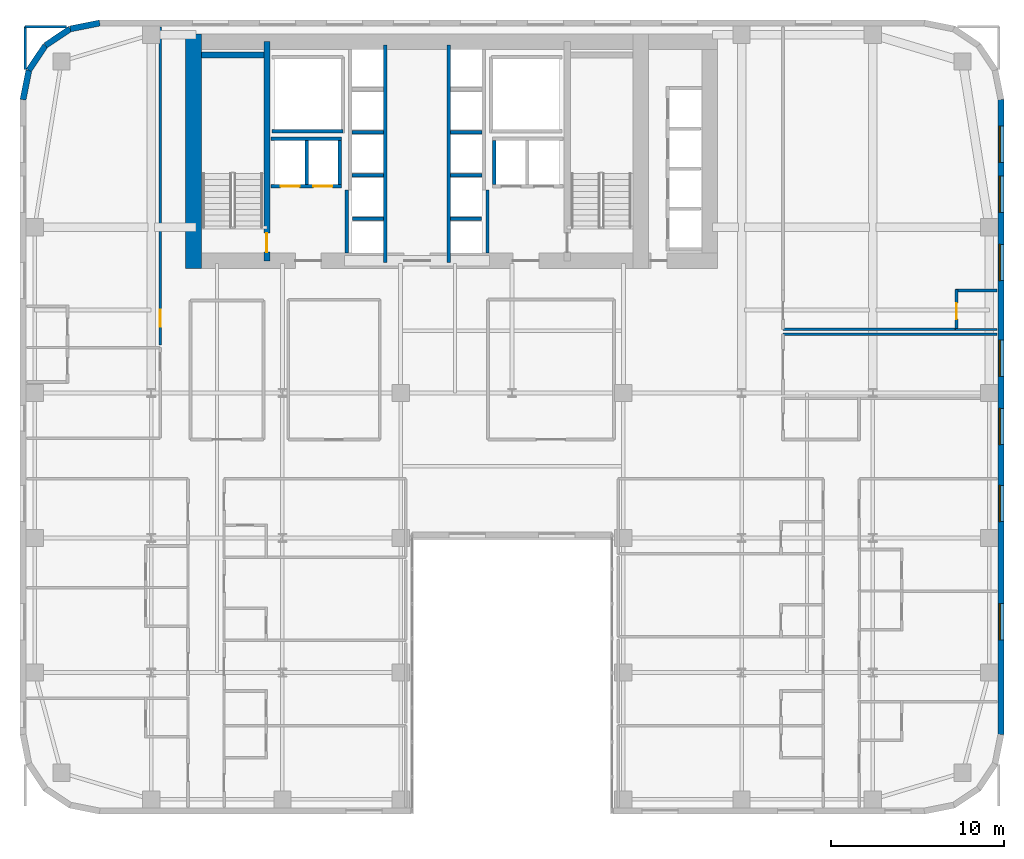
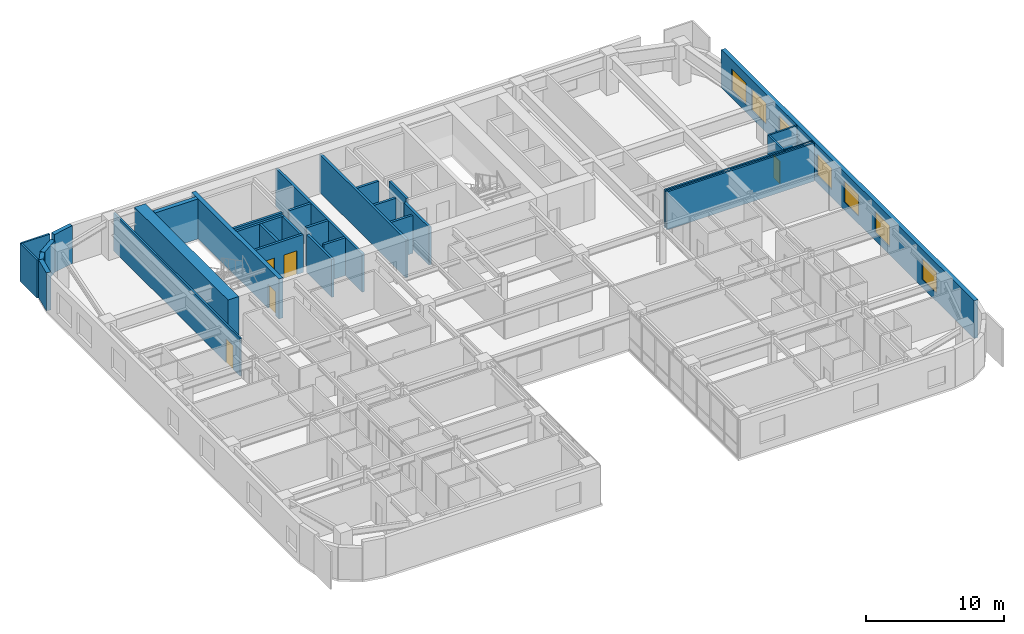
# One storey, part 14 of 17: 32 walls, 7 windows, 5 doors, 12 openings.
"""IFC4 building model written with IfcOpenShell, lengths in metres."""

from ifc_helpers import new_model, si_unit, direction, frame, frame_2d, origin, place, context, subcontext, project, spatial, rectangle, extrude, source, transform, mapped, material, layer, layer_set, type_object, type_shapes, element, fill, save


model = new_model("IFC4")

# Units and contexts
model_context = context("Model", 3, precision=1e-05, world=origin(), true_north=direction((0.0, 1.0)))
body_context = subcontext(model_context, "Body", "Model", "MODEL_VIEW")
ifc_project = project(units=[si_unit("LENGTHUNIT", "METRE"), si_unit("AREAUNIT", "SQUARE_METRE"), si_unit("VOLUMEUNIT", "CUBIC_METRE"), si_unit("PLANEANGLEUNIT", "RADIAN"), si_unit("MASSUNIT", "GRAM", prefix="KILO")], contexts=[model_context])

# Site, building, storey
site_placement = place(None, origin())
site = spatial("IfcSite", under=ifc_project, at=site_placement, CompositionType="ELEMENT")
building_placement = place(site_placement, origin())
building = spatial("IfcBuilding", under=site, at=building_placement, Name="Tolvann Quenvar Hotel", CompositionType="ELEMENT")
storey_placement = place(building_placement, frame((0.0, 0.0, 42.64990234375)))
storey = spatial("IfcBuildingStorey", under=building, at=storey_placement, Name="L09", CompositionType="ELEMENT", Elevation=42.64990234375)

# Wall
ifc_material_1 = material(Name="Concrete S80 (80 MPa)", Category="concrete")
ifc_layer_1 = layer(ifc_material_1, 0.89990234375)
ifc_layer_set_1 = layer_set([ifc_layer_1], Name="Concrete S80 (80 MPa)")
wall_type_1 = type_object("IfcWallType", Name="WALL_CORE_900", PredefinedType="SHEAR", material=ifc_layer_set_1)
wall_1_placement = place(storey_placement, frame((10.050048828125, 31.60009765625, 0.0), z_axis=(0.0, 0.0, 1.0), x_axis=(0.0, 1.0, 0.0)))
element("IfcWall", 1, at=wall_1_placement, inside=storey, type_object=wall_type_1, Name="Rear Core W Shear Wall (L09)", PredefinedType="SHEAR", context=body_context, shape_type="SweptSolid", body=[
    extrude(rectangle(XDim=13.599853515625, YDim=0.89990234375, at=frame_2d((6.7998046875, 0.0))), origin(), (0.0, 0.0, 1.0), 3.550048828125),
])

# Wall, opening, door
ifc_material_2 = material(Name="Concrete S65 (65 MPa)", Category="concrete")
ifc_layer_2 = layer(ifc_material_2, 0.35009765625)
ifc_layer_set_2 = layer_set([ifc_layer_2], Name="Concrete S65 (65 MPa)")
wall_type_2 = type_object("IfcWallType", Name="WALL_CORE_INT_350", PredefinedType="SHEAR", material=ifc_layer_set_2)
wall_2_placement = place(storey_placement, frame((14.300048828125, 32.050048828125, 0.0), z_axis=(0.0, 0.0, 1.0), x_axis=(0.0, 1.0, 0.0)))
wall_2 = element("IfcWall", 2, at=wall_2_placement, inside=storey, type_object=wall_type_2, Name="Core Internal Web Shear Wall WEB-W (L09)", PredefinedType="SHEAR", context=body_context, shape_type="SweptSolid", body=[
    extrude(rectangle(XDim=12.699951171875, YDim=0.35009765625, at=frame_2d((6.35009765625, 0.0))), origin(), (0.0, 0.0, 1.0), 3.550048828125),
])
opening_1_placement = place(wall_2_placement, frame((0.5, 0.0, 0.0)))
opening_1 = element("IfcOpeningElement", 3, at=opening_1_placement, cuts=wall_2, Name="Opening FD-120", PredefinedType="OPENING", context=body_context, shape_type="SweptSolid", body=[
    extrude(rectangle(XDim=1.10009765625, YDim=2.1201171875, at=frame_2d((0.550048828125, 1.06005859375))), frame((0.0, 0.18505859375, 0.0), z_axis=(0.0, -1.0, 0.0), x_axis=(1.0, 0.0, 0.0)), (0.0, 0.0, 1.0), 0.3701171875),
])
ifc_material_3 = material(Name="Pressed galvanised steel fire-rated door set", Category="steel")
door_type_1 = type_object("IfcDoorType", Name="DOOR_FIRE_STAIR_1100", OperationType="NOTDEFINED", PredefinedType="DOOR", material=ifc_material_3)
shared_shape_1 = source(origin(), body_context, "Body", "SweptSolid", [
    extrude(rectangle(XDim=1.10009765625, YDim=2.1201171875, at=frame_2d((0.550048828125, 1.06005859375))), frame((0.0, 0.02490234375, 0.0), z_axis=(0.0, -1.0, 0.0), x_axis=(1.0, 0.0, 0.0)), (0.0, 0.0, 1.0), 0.050048828125),
])
type_shapes(door_type_1, [shared_shape_1])
door_1_placement = place(opening_1_placement, origin())
door_1 = element("IfcDoor", 4, at=door_1_placement, inside=storey, type_object=door_type_1, Name="Exit Stair ST-C1 Fire Door (L09)", OperationType="SINGLE_SWING_RIGHT", OverallHeight=2.1201171875, OverallWidth=1.10009765625, PredefinedType="DOOR", context=body_context, shape_type="MappedRepresentation", body=[
    mapped(shared_shape_1, transform((0.0, 0.0, 0.0), x_axis=(1.0, 0.0, 0.0), y_axis=(0.0, 1.0, 0.0), z_axis=(0.0, 0.0, 1.0), scale=1.0)),
])
fill(opening_1, door_1)

# Wall
wall_3_placement = place(storey_placement, frame((10.52001953125, 43.97509765625, 0.0), z_axis=(0.0, 0.0, 1.0), x_axis=(1.0, 0.0, 0.0)))
element("IfcWall", 5, at=wall_3_placement, inside=storey, type_object=wall_type_2, Name="Core Stair North Closing Shear Wall STC1-N (L09)", PredefinedType="SHEAR", context=body_context, shape_type="SweptSolid", body=[
    extrude(rectangle(XDim=3.60009765625, YDim=0.35009765625, at=frame_2d((1.800048828125, 0.0))), origin(), (0.0, 0.0, 1.0), 3.550048828125),
])

# Wall, openings, windows
ifc_material_4 = material(Name="Kiln-fired red and buff architectural clay brickwork and terracotta masonry", Category="masonry")
ifc_layer_3 = layer(ifc_material_4, 0.35009765625)
ifc_layer_set_3 = layer_set([ifc_layer_3], Name="Kiln-fired red and buff architectural clay brickwork and terracotta masonry")
wall_type_3 = type_object("IfcWallType", Name="WALL_EXT_BRICK_350", PredefinedType="SOLIDWALL", material=ifc_layer_set_3)
wall_4_placement = place(storey_placement, frame((56.824951171875, 4.6171875, 0.0), z_axis=(0.0, 0.0, 1.0), x_axis=(0.0, 1.0, 0.0)))
wall_4 = element("IfcWall", 6, at=wall_4_placement, inside=storey, type_object=wall_type_3, Name="Exterior Chicago Brick Wall L09-E13", PredefinedType="SOLIDWALL", context=body_context, shape_type="SweptSolid", body=[
    extrude(rectangle(XDim=36.765625, YDim=0.35009765625, at=frame_2d((18.3828125, 0.0))), origin(), (0.0, 0.0, 1.0), 3.3701171875),
])
opening_2_placement = place(wall_4_placement, frame((5.47802734375, 0.0, 0.679931640625)))
opening_2 = element("IfcOpeningElement", 7, at=opening_2_placement, cuts=wall_4, Name="Opening W-02", PredefinedType="OPENING", context=body_context, shape_type="SweptSolid", body=[
    extrude(rectangle(XDim=2.10009765625, YDim=1.89990234375, at=frame_2d((1.050048828125, 0.949951171875))), frame((0.0, 0.18505859375, 0.0), z_axis=(0.0, -1.0, 0.0), x_axis=(1.0, 0.0, 0.0)), (0.0, 0.0, 1.0), 0.3701171875),
])
opening_3_placement = place(wall_4_placement, frame((12.3310546875, 0.0, 0.679931640625)))
opening_3 = element("IfcOpeningElement", 8, at=opening_3_placement, cuts=wall_4, Name="Opening W-02", PredefinedType="OPENING", context=body_context, shape_type="SweptSolid", body=[
    extrude(rectangle(XDim=2.10009765625, YDim=1.89990234375, at=frame_2d((1.050048828125, 0.949951171875))), frame((0.0, 0.18505859375, 0.0), z_axis=(0.0, -1.0, 0.0), x_axis=(1.0, 0.0, 0.0)), (0.0, 0.0, 1.0), 0.3701171875),
])
opening_4_placement = place(wall_4_placement, frame((16.782958984375, 0.0, 0.679931640625)))
opening_4 = element("IfcOpeningElement", 9, at=opening_4_placement, cuts=wall_4, Name="Opening W-02", PredefinedType="OPENING", context=body_context, shape_type="SweptSolid", body=[
    extrude(rectangle(XDim=2.10009765625, YDim=1.89990234375, at=frame_2d((1.050048828125, 0.949951171875))), frame((0.0, 0.18505859375, 0.0), z_axis=(0.0, -1.0, 0.0), x_axis=(1.0, 0.0, 0.0)), (0.0, 0.0, 1.0), 0.3701171875),
])
opening_5_placement = place(wall_4_placement, frame((20.735107421875, 0.0, 0.679931640625)))
opening_5 = element("IfcOpeningElement", 10, at=opening_5_placement, cuts=wall_4, Name="Opening W-02", PredefinedType="OPENING", context=body_context, shape_type="SweptSolid", body=[
    extrude(rectangle(XDim=2.10009765625, YDim=1.89990234375, at=frame_2d((1.050048828125, 0.949951171875))), frame((0.0, 0.18505859375, 0.0), z_axis=(0.0, -1.0, 0.0), x_axis=(1.0, 0.0, 0.0)), (0.0, 0.0, 1.0), 0.3701171875),
])
opening_6_placement = place(wall_4_placement, frame((26.285888671875, 0.0, 0.679931640625)))
opening_6 = element("IfcOpeningElement", 11, at=opening_6_placement, cuts=wall_4, Name="Opening W-02", PredefinedType="OPENING", context=body_context, shape_type="SweptSolid", body=[
    extrude(rectangle(XDim=2.10009765625, YDim=1.89990234375, at=frame_2d((1.050048828125, 0.949951171875))), frame((0.0, 0.18505859375, 0.0), z_axis=(0.0, -1.0, 0.0), x_axis=(1.0, 0.0, 0.0)), (0.0, 0.0, 1.0), 0.3701171875),
])
opening_7_placement = place(wall_4_placement, frame((30.238037109375, 0.0, 0.679931640625)))
opening_7 = element("IfcOpeningElement", 12, at=opening_7_placement, cuts=wall_4, Name="Opening W-02", PredefinedType="OPENING", context=body_context, shape_type="SweptSolid", body=[
    extrude(rectangle(XDim=2.10009765625, YDim=1.89990234375, at=frame_2d((1.050048828125, 0.949951171875))), frame((0.0, 0.18505859375, 0.0), z_axis=(0.0, -1.0, 0.0), x_axis=(1.0, 0.0, 0.0)), (0.0, 0.0, 1.0), 0.3701171875),
])
opening_8_placement = place(wall_4_placement, frame((33.139892578125, 0.0, 0.679931640625)))
opening_8 = element("IfcOpeningElement", 13, at=opening_8_placement, cuts=wall_4, Name="Opening W-02", PredefinedType="OPENING", context=body_context, shape_type="SweptSolid", body=[
    extrude(rectangle(XDim=2.10009765625, YDim=1.89990234375, at=frame_2d((1.050048828125, 0.949951171875))), frame((0.0, 0.18505859375, 0.0), z_axis=(0.0, -1.0, 0.0), x_axis=(1.0, 0.0, 0.0)), (0.0, 0.0, 1.0), 0.3701171875),
])
ifc_material_5 = material(Name="Thermally broken bronze-anodised aluminium frame with double low-E glazing", Category="aluminium")
window_type = type_object("IfcWindowType", Name="WIN_CHI_2100x2050", PartitioningType="TRIPLE_PANEL_HORIZONTAL", PredefinedType="WINDOW", material=ifc_material_5)
shared_shape_2 = source(origin(), body_context, "Body", "SweptSolid", [
    extrude(rectangle(XDim=2.10009765625, YDim=1.89990234375, at=frame_2d((1.050048828125, 0.949951171875))), frame((0.0, 0.090087890625, 0.0), z_axis=(0.0, -1.0, 0.0), x_axis=(1.0, 0.0, 0.0)), (0.0, 0.0, 1.0), 0.06005859375),
])
type_shapes(window_type, [shared_shape_2])
window_1_placement = place(opening_2_placement, origin())
window_1 = element("IfcWindow", 14, at=window_1_placement, inside=storey, type_object=window_type, Name="Chicago Window W-02 (EW-L09-E13-W01)", OverallHeight=1.89990234375, OverallWidth=2.10009765625, PartitioningType="TRIPLE_PANEL_HORIZONTAL", PredefinedType="WINDOW", context=body_context, shape_type="MappedRepresentation", body=[
    mapped(shared_shape_2, transform((0.0, 0.0, 0.0), x_axis=(1.0, 0.0, 0.0), y_axis=(0.0, 1.0, 0.0), z_axis=(0.0, 0.0, 1.0), scale=1.0)),
])
fill(opening_2, window_1)
window_2_placement = place(opening_3_placement, origin())
window_2 = element("IfcWindow", 15, at=window_2_placement, inside=storey, type_object=window_type, Name="Chicago Window W-02 (EW-L09-E13-W02)", OverallHeight=1.89990234375, OverallWidth=2.10009765625, PartitioningType="TRIPLE_PANEL_HORIZONTAL", PredefinedType="WINDOW", context=body_context, shape_type="MappedRepresentation", body=[
    mapped(shared_shape_2, transform((0.0, 0.0, 0.0), x_axis=(1.0, 0.0, 0.0), y_axis=(0.0, 1.0, 0.0), z_axis=(0.0, 0.0, 1.0), scale=1.0)),
])
fill(opening_3, window_2)
window_3_placement = place(opening_4_placement, origin())
window_3 = element("IfcWindow", 16, at=window_3_placement, inside=storey, type_object=window_type, Name="Chicago Window W-02 (EW-L09-E13-W03)", OverallHeight=1.89990234375, OverallWidth=2.10009765625, PartitioningType="TRIPLE_PANEL_HORIZONTAL", PredefinedType="WINDOW", context=body_context, shape_type="MappedRepresentation", body=[
    mapped(shared_shape_2, transform((0.0, 0.0, 0.0), x_axis=(1.0, 0.0, 0.0), y_axis=(0.0, 1.0, 0.0), z_axis=(0.0, 0.0, 1.0), scale=1.0)),
])
fill(opening_4, window_3)
window_4_placement = place(opening_5_placement, origin())
window_4 = element("IfcWindow", 17, at=window_4_placement, inside=storey, type_object=window_type, Name="Chicago Window W-02 (EW-L09-E13-W04)", OverallHeight=1.89990234375, OverallWidth=2.10009765625, PartitioningType="TRIPLE_PANEL_HORIZONTAL", PredefinedType="WINDOW", context=body_context, shape_type="MappedRepresentation", body=[
    mapped(shared_shape_2, transform((0.0, 0.0, 0.0), x_axis=(1.0, 0.0, 0.0), y_axis=(0.0, 1.0, 0.0), z_axis=(0.0, 0.0, 1.0), scale=1.0)),
])
fill(opening_5, window_4)
window_5_placement = place(opening_6_placement, origin())
window_5 = element("IfcWindow", 18, at=window_5_placement, inside=storey, type_object=window_type, Name="Chicago Window W-02 (EW-L09-E13-W05)", OverallHeight=1.89990234375, OverallWidth=2.10009765625, PartitioningType="TRIPLE_PANEL_HORIZONTAL", PredefinedType="WINDOW", context=body_context, shape_type="MappedRepresentation", body=[
    mapped(shared_shape_2, transform((0.0, 0.0, 0.0), x_axis=(1.0, 0.0, 0.0), y_axis=(0.0, 1.0, 0.0), z_axis=(0.0, 0.0, 1.0), scale=1.0)),
])
fill(opening_6, window_5)
window_6_placement = place(opening_7_placement, origin())
window_6 = element("IfcWindow", 19, at=window_6_placement, inside=storey, type_object=window_type, Name="Chicago Window W-02 (EW-L09-E13-W06)", OverallHeight=1.89990234375, OverallWidth=2.10009765625, PartitioningType="TRIPLE_PANEL_HORIZONTAL", PredefinedType="WINDOW", context=body_context, shape_type="MappedRepresentation", body=[
    mapped(shared_shape_2, transform((0.0, 0.0, 0.0), x_axis=(1.0, 0.0, 0.0), y_axis=(0.0, 1.0, 0.0), z_axis=(0.0, 0.0, 1.0), scale=1.0)),
])
fill(opening_7, window_6)
window_7_placement = place(opening_8_placement, origin())
window_7 = element("IfcWindow", 20, at=window_7_placement, inside=storey, type_object=window_type, Name="Chicago Window W-02 (EW-L09-E13-W07)", OverallHeight=1.89990234375, OverallWidth=2.10009765625, PartitioningType="TRIPLE_PANEL_HORIZONTAL", PredefinedType="WINDOW", context=body_context, shape_type="MappedRepresentation", body=[
    mapped(shared_shape_2, transform((0.0, 0.0, 0.0), x_axis=(1.0, 0.0, 0.0), y_axis=(0.0, 1.0, 0.0), z_axis=(0.0, 0.0, 1.0), scale=1.0)),
])
fill(opening_8, window_7)

# Walls
wall_5_placement = place(storey_placement, frame((4.6171875, 45.824951171875, 0.0), z_axis=(0.0, 0.0, 1.0), x_axis=(-0.980800971659, -0.195011420161, 0.0)))
element("IfcWall", 21, at=wall_5_placement, inside=storey, type_object=wall_type_3, Name="Exterior Chicago Brick Wall L09-E19", PredefinedType="SOLIDWALL", context=body_context, shape_type="SweptSolid", body=[
    extrude(rectangle(XDim=1.74267578125, YDim=0.35009765625, at=frame_2d((0.871337890625, 0.0))), origin(), (0.0, 0.0, 1.0), 3.3701171875),
])
for number, where, z_axis, x_axis, name in (
    (22, (2.907958984375, 45.485107421875, 0.0), (0.0, 0.0, 1.0), (-0.831483840845, -0.55554893791, 0.0), "Exterior Chicago Brick Wall L09-E20"),
    (23, (1.473388671875, 44.526611328125, 0.0), (0.0, 0.0, 1.0), (-0.55554893791, -0.831483840845, 0.0), "Exterior Chicago Brick Wall L09-E21"),
):
    element("IfcWall", number, at=place(storey_placement, frame(where, z_axis=z_axis, x_axis=x_axis)), inside=storey, type_object=wall_type_3, Name=name, PredefinedType="SOLIDWALL", context=body_context, shape_type="SweptSolid", body=[
        extrude(rectangle(XDim=1.725341796875, YDim=0.35009765625, at=frame_2d((0.86279296875, 0.0))), origin(), (0.0, 0.0, 1.0), 2.83203125),
    ])
wall_6_placement = place(storey_placement, frame((0.514892578125, 43.092041015625, 0.0), z_axis=(0.0, 0.0, 1.0), x_axis=(-0.195011420161, -0.980800971659, 0.0)))
element("IfcWall", 24, at=wall_6_placement, inside=storey, type_object=wall_type_3, Name="Exterior Chicago Brick Wall L09-E22", PredefinedType="SOLIDWALL", context=body_context, shape_type="SweptSolid", body=[
    extrude(rectangle(XDim=1.74267578125, YDim=0.35009765625, at=frame_2d((0.871337890625, 0.0))), origin(), (0.0, 0.0, 1.0), 3.3701171875),
])
ifc_material_6 = material(Name="Moisture-resistant acoustic plumbing wall assembly")
ifc_layer_4 = layer(ifc_material_6, 0.1201171875)
ifc_layer_set_4 = layer_set([ifc_layer_4], Name="Moisture-resistant acoustic plumbing wall assembly")
wall_type_4 = type_object("IfcWallType", Name="WALL_PART_BATH_120", PredefinedType="PLUMBINGWALL", material=ifc_layer_set_4)
wall_7_placement = place(storey_placement, frame((54.179931640625, 28.080078125, 0.0), z_axis=(0.0, 0.0, 1.0), x_axis=(1.0, 0.0, 0.0)))
element("IfcWall", 25, at=wall_7_placement, inside=storey, type_object=wall_type_4, Name="Non-Rated Plumbing Partition PT-SPC-L09-ENS-NE01-S", PredefinedType="PLUMBINGWALL", context=body_context, shape_type="SweptSolid", body=[
    extrude(rectangle(XDim=2.4150390625, YDim=0.1201171875, at=frame_2d((1.20751953125, 0.0))), origin(), (0.0, 0.0, 1.0), 3.3701171875),
])

# Wall, opening, door
ifc_material_7 = material(Name="Acoustic twin-stud fire-rated gypsum plasterboard partition")
ifc_layer_5 = layer(ifc_material_7, 0.14990234375)
ifc_layer_set_5 = layer_set([ifc_layer_5], Name="Acoustic twin-stud fire-rated gypsum plasterboard partition")
wall_type_5 = type_object("IfcWallType", Name="WALL_PART_SUITE_150", PredefinedType="PARTITIONING", material=ifc_layer_set_5)
wall_8_placement = place(storey_placement, frame((54.25, 28.010009765625, 0.0), z_axis=(0.0, 0.0, 1.0), x_axis=(0.0, 1.0, 0.0)))
wall_8 = element("IfcWall", 26, at=wall_8_placement, inside=storey, type_object=wall_type_5, Name="Interior Partition PT-SPC-L09-ENS-NE01-ENT", PredefinedType="PARTITIONING", context=body_context, shape_type="SweptSolid", body=[
    extrude(rectangle(XDim=2.389892578125, YDim=0.14990234375, at=frame_2d((1.19482421875, 0.0))), origin(), (0.0, 0.0, 1.0), 3.3701171875),
])
opening_9_placement = place(wall_8_placement, frame((0.6650390625, 0.0, 0.0)))
opening_9 = element("IfcOpeningElement", 27, at=opening_9_placement, cuts=wall_8, Name="Opening WD-01", PredefinedType="OPENING", context=body_context, shape_type="SweptSolid", body=[
    extrude(rectangle(XDim=0.919921875, YDim=2.010009765625, at=frame_2d((0.4599609375, 1.0048828125))), frame((0.0, 0.0849609375, 0.0), z_axis=(0.0, -1.0, 0.0), x_axis=(1.0, 0.0, 0.0)), (0.0, 0.0, 1.0), 0.169921875),
])
ifc_material_8 = material(Name="Solid-core American oak acoustic fire door leaf in steel frame", Category="steel")
door_type_2 = type_object("IfcDoorType", Name="DOOR_WC_920", OperationType="NOTDEFINED", PredefinedType="DOOR", material=ifc_material_8)
shared_shape_3 = source(origin(), body_context, "Body", "SweptSolid", [
    extrude(rectangle(XDim=0.919921875, YDim=2.010009765625, at=frame_2d((0.4599609375, 1.0048828125))), frame((0.0, 0.02490234375, 0.0), z_axis=(0.0, -1.0, 0.0), x_axis=(1.0, 0.0, 0.0)), (0.0, 0.0, 1.0), 0.050048828125),
])
type_shapes(door_type_2, [shared_shape_3])
door_2_placement = place(opening_9_placement, origin())
door_2 = element("IfcDoor", 28, at=door_2_placement, inside=storey, type_object=door_type_2, Name="Interior Door DOOR-SPC-L09-ENS-NE01", OperationType="SINGLE_SWING_RIGHT", OverallHeight=2.010009765625, OverallWidth=0.919921875, PredefinedType="DOOR", context=body_context, shape_type="MappedRepresentation", body=[
    mapped(shared_shape_3, transform((0.0, 0.0, 0.0), x_axis=(1.0, 0.0, 0.0), y_axis=(0.0, 1.0, 0.0), z_axis=(0.0, 0.0, 1.0), scale=1.0)),
])
fill(opening_9, door_2)

# Wall
wall_9_placement = place(storey_placement, frame((54.179931640625, 30.330078125, 0.0), z_axis=(0.0, 0.0, 1.0), x_axis=(1.0, 0.0, 0.0)))
element("IfcWall", 29, at=wall_9_placement, inside=storey, type_object=wall_type_5, Name="Interior Partition PT-SPC-L09-ENS-NE01-N", PredefinedType="PARTITIONING", context=body_context, shape_type="SweptSolid", body=[
    extrude(rectangle(XDim=2.4150390625, YDim=0.14990234375, at=frame_2d((1.20751953125, 0.0))), origin(), (0.0, 0.0, 1.0), 3.3701171875),
])

# Wall, opening, door
wall_10_placement = place(storey_placement, frame((8.1201171875, 27.179931640625, 0.0), z_axis=(0.0, 0.0, 1.0), x_axis=(0.0, 1.0, 0.0)))
wall_10 = element("IfcWall", 30, at=wall_10_placement, inside=storey, type_object=wall_type_5, Name="Interior Partition PT-SPC-L09-RM-NW02-ENT", PredefinedType="PARTITIONING", context=body_context, shape_type="SweptSolid", body=[
    extrude(rectangle(XDim=18.4150390625, YDim=0.14990234375, at=frame_2d((9.20751953125, 0.0))), origin(), (0.0, 0.0, 1.0), 3.3701171875),
])
opening_10_placement = place(wall_10_placement, frame((1.044921875, 0.0, 0.0)))
opening_10 = element("IfcOpeningElement", 31, at=opening_10_placement, cuts=wall_10, Name="Opening SD-01", PredefinedType="OPENING", context=body_context, shape_type="SweptSolid", body=[
    extrude(rectangle(XDim=0.97998046875, YDim=2.1201171875, at=frame_2d((0.489990234375, 1.06005859375))), frame((0.0, 0.0849609375, 0.0), z_axis=(0.0, -1.0, 0.0), x_axis=(1.0, 0.0, 0.0)), (0.0, 0.0, 1.0), 0.169921875),
])
door_type_3 = type_object("IfcDoorType", Name="DOOR_SUITE_980", OperationType="NOTDEFINED", PredefinedType="DOOR", material=ifc_material_8)
shared_shape_4 = source(origin(), body_context, "Body", "SweptSolid", [
    extrude(rectangle(XDim=0.97998046875, YDim=2.1201171875, at=frame_2d((0.489990234375, 1.06005859375))), frame((0.0, 0.02490234375, 0.0), z_axis=(0.0, -1.0, 0.0), x_axis=(1.0, 0.0, 0.0)), (0.0, 0.0, 1.0), 0.050048828125),
])
type_shapes(door_type_3, [shared_shape_4])
door_3_placement = place(opening_10_placement, origin())
door_3 = element("IfcDoor", 32, at=door_3_placement, inside=storey, type_object=door_type_3, Name="Interior Door DOOR-SPC-L09-RM-NW02", OperationType="SINGLE_SWING_RIGHT", OverallHeight=2.1201171875, OverallWidth=0.97998046875, PredefinedType="DOOR", context=body_context, shape_type="MappedRepresentation", body=[
    mapped(shared_shape_4, transform((0.0, 0.0, 0.0), x_axis=(1.0, 0.0, 0.0), y_axis=(0.0, 1.0, 0.0), z_axis=(0.0, 0.0, 1.0), scale=1.0)),
])
fill(opening_10, door_3)

# Walls
wall_11_placement = place(storey_placement, frame((0.300048828125, 45.6201171875, 0.0), z_axis=(0.0, 0.0, 1.0), x_axis=(1.0, 0.0, 0.0)))
element("IfcWall", 33, at=wall_11_placement, inside=storey, type_object=wall_type_5, Name="Interior Partition PT-SPC-L09-RM-NW02-E5", PredefinedType="PARTITIONING", context=body_context, shape_type="SweptSolid", body=[
    extrude(rectangle(XDim=2.39599609375, YDim=0.14990234375, at=frame_2d((1.197998046875, 0.0))), origin(), (0.0, 0.0, 1.0), 3.3701171875),
])
wall_12_placement = place(storey_placement, frame((0.300048828125, 43.135009765625, 0.0), z_axis=(0.0, 0.0, 1.0), x_axis=(0.0, 1.0, 0.0)))
element("IfcWall", 34, at=wall_12_placement, inside=storey, type_object=wall_type_5, Name="Interior Partition PT-SPC-L09-RM-NW02-E6", PredefinedType="PARTITIONING", context=body_context, shape_type="SweptSolid", body=[
    extrude(rectangle(XDim=2.485107421875, YDim=0.14990234375, at=frame_2d((1.24267578125, 0.0))), origin(), (0.0, 0.0, 1.0), 3.3701171875),
])
wall_13_placement = place(storey_placement, frame((44.199951171875, 27.800048828125, 0.0), z_axis=(0.0, 0.0, 1.0), x_axis=(1.0, 0.0, 0.0)))
element("IfcWall", 35, at=wall_13_placement, inside=storey, type_object=wall_type_5, Name="Interior Partition PT-SPC-L09-SPA-N", PredefinedType="PARTITIONING", context=body_context, shape_type="SweptSolid", body=[
    extrude(rectangle(XDim=12.39501953125, YDim=0.14990234375, at=frame_2d((6.197509765625, 0.0))), origin(), (0.0, 0.0, 1.0), 3.3701171875),
])
wall_14_placement = place(storey_placement, frame((44.199951171875, 28.080078125, 0.0), z_axis=(0.0, 0.0, 1.0), x_axis=(1.0, 0.0, 0.0)))
element("IfcWall", 36, at=wall_14_placement, inside=storey, type_object=wall_type_5, Name="Interior Partition PT-SPC-L09-RM-NE01-E1", PredefinedType="PARTITIONING", context=body_context, shape_type="SweptSolid", body=[
    extrude(rectangle(XDim=10.030029296875, YDim=0.14990234375, at=frame_2d((5.01513671875, 0.0))), origin(), (0.0, 0.0, 1.0), 3.3701171875),
])
ifc_material_9 = material(Name="Concrete N40 (40 MPa)", Category="concrete")
ifc_layer_6 = layer(ifc_material_9, 0.199951171875)
ifc_layer_set_6 = layer_set([ifc_layer_6], Name="Concrete N40 (40 MPa)")
wall_type_6 = type_object("IfcWallType", Name="WALL_SHAFT_200", PredefinedType="SOLIDWALL", material=ifc_layer_set_6)
wall_15_placement = place(storey_placement, frame((14.60009765625, 39.550048828125, 0.0), z_axis=(0.0, 0.0, 1.0), x_axis=(1.0, 0.0, 0.0)))
element("IfcWall", 37, at=wall_15_placement, inside=storey, type_object=wall_type_6, Name="Service Riser W Shaft Wall S (L09)", PredefinedType="SOLIDWALL", context=body_context, shape_type="SweptSolid", body=[
    extrude(rectangle(XDim=4.099853515625, YDim=0.199951171875, at=frame_2d((2.0498046875, 0.0))), origin(), (0.0, 0.0, 1.0), 3.3701171875),
])
for number, where, z_axis, x_axis, name in (
    (38, (18.919921875, 32.50390625, 0.0), (0.0, 0.0, 1.0), (0.0, 1.0, 0.0), "Firefighting Lobby W Inner Fire Wall (L09)"),
    (39, (27.080078125, 32.50390625, 0.0), (0.0, 0.0, 1.0), (0.0, 1.0, 0.0), "Firefighting Lobby E Inner Fire Wall (L09)"),
):
    element("IfcWall", number, at=place(storey_placement, frame(where, z_axis=z_axis, x_axis=x_axis)), inside=storey, type_object=wall_type_6, Name=name, PredefinedType="SOLIDWALL", context=body_context, shape_type="SweptSolid", body=[
        extrude(rectangle(XDim=3.64599609375, YDim=0.199951171875, at=frame_2d((1.822998046875, 0.0))), origin(), (0.0, 0.0, 1.0), 3.3701171875),
    ])
wall_16_placement = place(storey_placement, frame((21.169921875, 31.9599609375, 0.0), z_axis=(0.0, 0.0, 1.0), x_axis=(0.0, 1.0, 0.0)))
element("IfcWall", 40, at=wall_16_placement, inside=storey, type_object=wall_type_6, Name="Lift Bank E21.1C1 Hoistway Front Wall (L09)", PredefinedType="SOLIDWALL", context=body_context, shape_type="SweptSolid", body=[
    extrude(rectangle(XDim=12.580078125, YDim=0.199951171875, at=frame_2d((6.2900390625, 0.0))), origin(), (0.0, 0.0, 1.0), 3.3701171875),
])
wall_17_placement = place(storey_placement, frame((19.27001953125, 34.5, 0.0), z_axis=(0.0, 0.0, 1.0), x_axis=(1.0, 0.0, 0.0)))
element("IfcWall", 41, at=wall_17_placement, inside=storey, type_object=wall_type_6, Name="Lift Bank E21.1C1 Divider Wall 1 (L09)", PredefinedType="SOLIDWALL", context=body_context, shape_type="SweptSolid", body=[
    extrude(rectangle(XDim=1.800048828125, YDim=0.199951171875, at=frame_2d((0.89990234375, 0.0))), origin(), (0.0, 0.0, 1.0), 3.3701171875),
])
for number, where, z_axis, x_axis, name in (
    (42, (19.22998046875, 37.0, 0.0), (0.0, 0.0, 1.0), (1.0, 0.0, 0.0), "Lift Bank E21.1C1 Divider Wall 2 (L09)"),
    (43, (19.22998046875, 39.5, 0.0), (0.0, 0.0, 1.0), (1.0, 0.0, 0.0), "Lift Bank E21.1C1 Divider Wall 3 (L09)"),
):
    element("IfcWall", number, at=place(storey_placement, frame(where, z_axis=z_axis, x_axis=x_axis)), inside=storey, type_object=wall_type_6, Name=name, PredefinedType="SOLIDWALL", context=body_context, shape_type="SweptSolid", body=[
        extrude(rectangle(XDim=1.840087890625, YDim=0.199951171875, at=frame_2d((0.919921875, 0.0))), origin(), (0.0, 0.0, 1.0), 3.3701171875),
    ])
wall_18_placement = place(storey_placement, frame((27.47509765625, 36.47998046875, 0.0), z_axis=(0.0, 0.0, 1.0), x_axis=(0.0, 1.0, 0.0)))
element("IfcWall", 44, at=wall_18_placement, inside=storey, type_object=wall_type_6, Name="Lift Bank SEC1 Hoistway Cheek Wall 1 (L09)", PredefinedType="SOLIDWALL", context=body_context, shape_type="SweptSolid", body=[
    extrude(rectangle(XDim=2.5400390625, YDim=0.199951171875, at=frame_2d((1.27001953125, 0.0))), origin(), (0.0, 0.0, 1.0), 3.3701171875),
])

# Wall, openings, doors
wall_19_placement = place(storey_placement, frame((14.550048828125, 36.3798828125, 0.0), z_axis=(0.0, 0.0, 1.0), x_axis=(1.0, 0.0, 0.0)))
wall_19 = element("IfcWall", 45, at=wall_19_placement, inside=storey, type_object=wall_type_6, Name="Lift Bank SWC1 Hoistway Front Wall (L09)", PredefinedType="SOLIDWALL", context=body_context, shape_type="SweptSolid", body=[
    extrude(rectangle(XDim=4.074951171875, YDim=0.199951171875, at=frame_2d((2.03759765625, 0.0))), origin(), (0.0, 0.0, 1.0), 3.3701171875),
])
opening_11_placement = place(wall_19_placement, frame((0.550048828125, 0.0, 0.0)))
opening_11 = element("IfcOpeningElement", 46, at=opening_11_placement, cuts=wall_19, Name="Opening LD-01", PredefinedType="OPENING", context=body_context, shape_type="SweptSolid", body=[
    extrude(rectangle(XDim=1.10009765625, YDim=2.1201171875, at=frame_2d((0.550048828125, 1.06005859375))), frame((0.0, 0.10986328125, 0.0), z_axis=(0.0, -1.0, 0.0), x_axis=(1.0, 0.0, 0.0)), (0.0, 0.0, 1.0), 0.219970703125),
])
opening_12_placement = place(wall_19_placement, frame((2.449951171875, 0.0, 0.0)))
opening_12 = element("IfcOpeningElement", 47, at=opening_12_placement, cuts=wall_19, Name="Opening LD-01", PredefinedType="OPENING", context=body_context, shape_type="SweptSolid", body=[
    extrude(rectangle(XDim=1.10009765625, YDim=2.1201171875, at=frame_2d((0.550048828125, 1.06005859375))), frame((0.0, 0.10986328125, 0.0), z_axis=(0.0, -1.0, 0.0), x_axis=(1.0, 0.0, 0.0)), (0.0, 0.0, 1.0), 0.219970703125),
])
ifc_material_10 = material(Name="Brushed 316 stainless steel automatic sliding lift landing door", Category="steel")
door_type_4 = type_object("IfcDoorType", Name="DOOR_LIFT_SLIDE_1100", OperationType="NOTDEFINED", PredefinedType="DOOR", material=ifc_material_10)
shared_shape_5 = source(origin(), body_context, "Body", "SweptSolid", [
    extrude(rectangle(XDim=1.10009765625, YDim=2.1201171875, at=frame_2d((0.550048828125, 1.06005859375))), frame((0.0, 0.02490234375, 0.0), z_axis=(0.0, -1.0, 0.0), x_axis=(1.0, 0.0, 0.0)), (0.0, 0.0, 1.0), 0.050048828125),
])
type_shapes(door_type_4, [shared_shape_5])
door_4_placement = place(opening_11_placement, origin())
door_4 = element("IfcDoor", 48, at=door_4_placement, inside=storey, type_object=door_type_4, Name="Lift FF-1 Sliding Landing Door (L09)", OperationType="SLIDING_TO_LEFT", OverallHeight=2.1201171875, OverallWidth=1.10009765625, PredefinedType="DOOR", context=body_context, shape_type="MappedRepresentation", body=[
    mapped(shared_shape_5, transform((0.0, 0.0, 0.0), x_axis=(1.0, 0.0, 0.0), y_axis=(0.0, 1.0, 0.0), z_axis=(0.0, 0.0, 1.0), scale=1.0)),
])
fill(opening_11, door_4)
door_5_placement = place(opening_12_placement, origin())
door_5 = element("IfcDoor", 49, at=door_5_placement, inside=storey, type_object=door_type_4, Name="Lift SV-1 Sliding Landing Door (L09)", OperationType="SLIDING_TO_RIGHT", OverallHeight=2.1201171875, OverallWidth=1.10009765625, PredefinedType="DOOR", context=body_context, shape_type="MappedRepresentation", body=[
    mapped(shared_shape_5, transform((0.0, 0.0, 0.0), x_axis=(1.0, 0.0, 0.0), y_axis=(0.0, 1.0, 0.0), z_axis=(0.0, 0.0, 1.0), scale=1.0)),
])
fill(opening_12, door_5)

# Walls
wall_20_placement = place(storey_placement, frame((14.550048828125, 39.1201171875, 0.0), z_axis=(0.0, 0.0, 1.0), x_axis=(1.0, 0.0, 0.0)))
element("IfcWall", 50, at=wall_20_placement, inside=storey, type_object=wall_type_6, Name="Lift Bank SWC1 Hoistway Rear Wall (L09)", PredefinedType="SOLIDWALL", context=body_context, shape_type="SweptSolid", body=[
    extrude(rectangle(XDim=4.074951171875, YDim=0.199951171875, at=frame_2d((2.03759765625, 0.0))), origin(), (0.0, 0.0, 1.0), 3.3701171875),
])
for number, where, z_axis, x_axis, name in (
    (51, (18.52490234375, 36.47998046875, 0.0), (0.0, 0.0, 1.0), (0.0, 1.0, 0.0), "Lift Bank SWC1 Hoistway Cheek Wall 2 (L09)"),
    (52, (16.612548828125, 36.47998046875, 0.0), (0.0, 0.0, 1.0), (0.0, 1.0, 0.0), "Lift Bank SWC1 Divider Wall 1 (L09)"),
):
    element("IfcWall", number, at=place(storey_placement, frame(where, z_axis=z_axis, x_axis=x_axis)), inside=storey, type_object=wall_type_6, Name=name, PredefinedType="SOLIDWALL", context=body_context, shape_type="SweptSolid", body=[
        extrude(rectangle(XDim=2.5400390625, YDim=0.199951171875, at=frame_2d((1.27001953125, 0.0))), origin(), (0.0, 0.0, 1.0), 3.3701171875),
    ])
wall_21_placement = place(storey_placement, frame((24.830078125, 31.9599609375, 0.0), z_axis=(0.0, 0.0, 1.0), x_axis=(0.0, 1.0, 0.0)))
element("IfcWall", 53, at=wall_21_placement, inside=storey, type_object=wall_type_6, Name="Lift Bank W24.9C1 Hoistway Front Wall (L09)", PredefinedType="SOLIDWALL", context=body_context, shape_type="SweptSolid", body=[
    extrude(rectangle(XDim=12.580078125, YDim=0.199951171875, at=frame_2d((6.2900390625, 0.0))), origin(), (0.0, 0.0, 1.0), 3.3701171875),
])
wall_22_placement = place(storey_placement, frame((24.929931640625, 34.5, 0.0), z_axis=(0.0, 0.0, 1.0), x_axis=(1.0, 0.0, 0.0)))
element("IfcWall", 54, at=wall_22_placement, inside=storey, type_object=wall_type_6, Name="Lift Bank W24.9C1 Divider Wall 1 (L09)", PredefinedType="SOLIDWALL", context=body_context, shape_type="SweptSolid", body=[
    extrude(rectangle(XDim=1.800048828125, YDim=0.199951171875, at=frame_2d((0.89990234375, 0.0))), origin(), (0.0, 0.0, 1.0), 3.3701171875),
])
for number, where, z_axis, x_axis, name in (
    (55, (24.929931640625, 37.0, 0.0), (0.0, 0.0, 1.0), (1.0, 0.0, 0.0), "Lift Bank W24.9C1 Divider Wall 2 (L09)"),
    (56, (24.929931640625, 39.5, 0.0), (0.0, 0.0, 1.0), (1.0, 0.0, 0.0), "Lift Bank W24.9C1 Divider Wall 3 (L09)"),
):
    element("IfcWall", number, at=place(storey_placement, frame(where, z_axis=z_axis, x_axis=x_axis)), inside=storey, type_object=wall_type_6, Name=name, PredefinedType="SOLIDWALL", context=body_context, shape_type="SweptSolid", body=[
        extrude(rectangle(XDim=1.840087890625, YDim=0.199951171875, at=frame_2d((0.919921875, 0.0))), origin(), (0.0, 0.0, 1.0), 3.3701171875),
    ])

save(model, "model.ifc")
